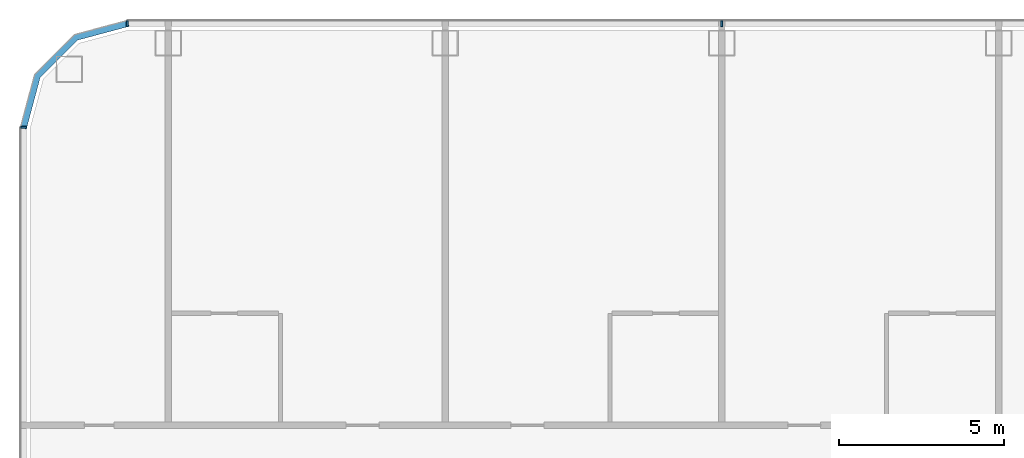
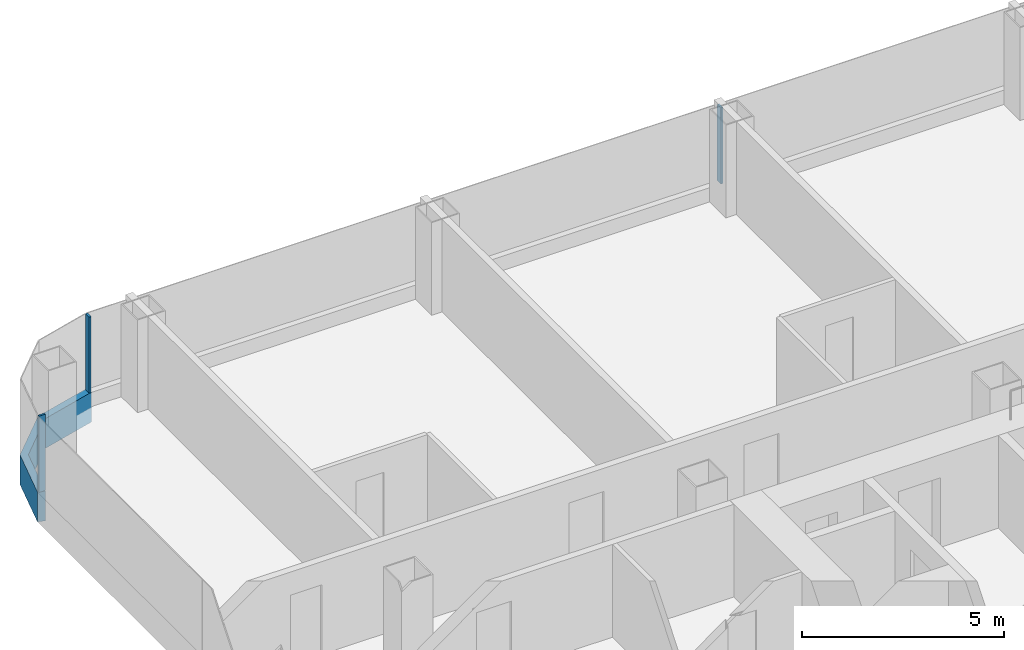
# One storey, part 7 of 29: 4 members, 3 elements without a shape of their own.
"""IFC4 building model written with IfcOpenShell, lengths in metres."""

from ifc_helpers import new_model, si_unit, direction, frame, origin, origin_2d, place, context, subcontext, project, spatial, polyline, rectangle, outline, extrude, material, layer, layer_set, material_profile, profile_set, type_object, element, aggregate, save


model = new_model("IFC4")

# Units and contexts
model_context = context("Model", 3, precision=1e-05, world=origin(), true_north=direction((0.0, 1.0)))
body_context = subcontext(model_context, "Body", "Model", "MODEL_VIEW")
ifc_project = project(units=[si_unit("LENGTHUNIT", "METRE"), si_unit("AREAUNIT", "SQUARE_METRE"), si_unit("VOLUMEUNIT", "CUBIC_METRE"), si_unit("PLANEANGLEUNIT", "RADIAN"), si_unit("MASSUNIT", "GRAM", prefix="KILO")], contexts=[model_context])

# Site, building, storey
site_placement = place(None, origin())
site = spatial("IfcSite", under=ifc_project, at=site_placement, CompositionType="ELEMENT")
building_placement = place(site_placement, origin())
building = spatial("IfcBuilding", under=site, at=building_placement, Name="Hakoniwa Tower and Hamabe Station Hall", CompositionType="ELEMENT")
storey_placement = place(building_placement, frame((0.0, 0.0, 91.39990234375)))
storey = spatial("IfcBuildingStorey", under=building, at=storey_placement, Name="L25", CompositionType="ELEMENT", Elevation=91.39990234375)

# Curtain wall, member
ifc_material_1 = material(Name="Dark low-e laminated glass", Category="glass")
ifc_layer = layer(ifc_material_1, 0.199951171875)
ifc_layer_set = layer_set([ifc_layer], Name="CW-1 UNITISED GUEST")
curtain_wall_type = type_object("IfcCurtainWallType", Name="CW-1 UNITISED GUEST", PredefinedType="NOTDEFINED", material=ifc_layer_set)
curtain_wall_1_placement = place(storey_placement, origin())
curtain_wall_1 = element("IfcCurtainWall", 1, at=curtain_wall_1_placement, inside=storey, type_object=curtain_wall_type, Name="CW-1 curtain wall", PredefinedType="NOTDEFINED")
ifc_material_2 = material(Name="Aluminium 6063-T5 black anodised", Category="aluminium")
ifc_material_profile_1 = material_profile(ifc_material_2, rectangle(XDim=0.199951171875, YDim=0.89990234375, at=origin_2d()), Name="CW SLAB-EDGE BAND 900X200")
ifc_profile_set_1 = profile_set([ifc_material_profile_1], Name="Aluminium 6063-T5 black anodised")
member_type_1 = type_object("IfcMemberType", Name="CW SLAB-EDGE BAND 900X200", PredefinedType="USERDEFINED", material=ifc_profile_set_1)
member_1_placement = place(storey_placement, frame((0.0, 0.0, -0.5498046875)))
member_1 = element("IfcMember", 2, at=member_1_placement, type_object=member_type_1, Name="CW-1 transom", ObjectType="TRANSOM", PredefinedType="USERDEFINED", context=body_context, shape_type="SweptSolid", body=[
    extrude(outline(polyline([(-43.239501953125, 23.550048828125), (-44.855224609375, 23.116943359375), (-46.067138671875, 21.9052734375), (-46.5, 20.28955078125), (-46.306884765625, 20.23779296875), (-45.8876953125, 21.8017578125), (-44.751708984375, 22.937744140625), (-43.187744140625, 23.35693359375), (-43.239501953125, 23.550048828125)])), origin(), (0.0, 0.0, 1.0), 0.89990234375),
])
aggregate(curtain_wall_1, [member_1])

# Curtain wall, members
curtain_wall_2_placement = place(storey_placement, origin())
curtain_wall_2 = element("IfcCurtainWall", 3, at=curtain_wall_2_placement, inside=storey, type_object=curtain_wall_type, Name="CW-1 curtain wall", PredefinedType="NOTDEFINED")
ifc_material_3 = material(Name="Aluminium 6063-T5 black anodised", Category="aluminium")
ifc_material_profile_2 = material_profile(ifc_material_3, rectangle(XDim=0.06005859375, YDim=0.179931640625, at=origin_2d()), Name="CW-1 MULLION 60X180")
ifc_profile_set_2 = profile_set([ifc_material_profile_2], Name="Aluminium 6063-T5 black anodised")
member_type_2 = type_object("IfcMemberType", Name="CW-1 MULLION 60X180", PredefinedType="MULLION", material=ifc_profile_set_2)
member_2_placement = place(storey_placement, frame((-25.199951171875, 23.431884765625, 0.35009765625), z_axis=(0.0, 0.0, 1.0), x_axis=(-1.0, 0.0, 0.0)))
member_2 = element("IfcMember", 4, at=member_2_placement, type_object=member_type_2, Name="CW-1 mullion", PredefinedType="MULLION", context=body_context, shape_type="SweptSolid", body=[
    extrude(rectangle(XDim=0.06005859375, YDim=0.179931640625, at=origin_2d()), origin(), (0.0, 0.0, 1.0), 2.300048828125),
])
member_3_placement = place(storey_placement, frame((-43.239501953125, 23.431884765625, 0.35009765625), z_axis=(0.0, 0.0, 1.0), x_axis=(-1.0, 0.0, 0.0)))
member_3 = element("IfcMember", 5, at=member_3_placement, type_object=member_type_2, Name="CW-1 mullion", PredefinedType="MULLION", context=body_context, shape_type="SweptSolid", body=[
    extrude(rectangle(XDim=0.06005859375, YDim=0.179931640625, at=origin_2d()), origin(), (0.0, 0.0, 1.0), 2.300048828125),
])
aggregate(curtain_wall_2, [member_2, member_3])

# Curtain wall, member
curtain_wall_3_placement = place(storey_placement, origin())
curtain_wall_3 = element("IfcCurtainWall", 6, at=curtain_wall_3_placement, inside=storey, type_object=curtain_wall_type, Name="CW-1 curtain wall", PredefinedType="NOTDEFINED")
member_4_placement = place(storey_placement, frame((-46.382080078125, 20.28955078125, 0.35009765625), z_axis=(0.0, 0.0, 1.0), x_axis=(0.0, -1.0, 0.0)))
member_4 = element("IfcMember", 7, at=member_4_placement, type_object=member_type_2, Name="CW-1 mullion", PredefinedType="MULLION", context=body_context, shape_type="SweptSolid", body=[
    extrude(rectangle(XDim=0.06005859375, YDim=0.179931640625, at=origin_2d()), origin(), (0.0, 0.0, 1.0), 2.300048828125),
])
aggregate(curtain_wall_3, [member_4])

save(model, "model.ifc")
